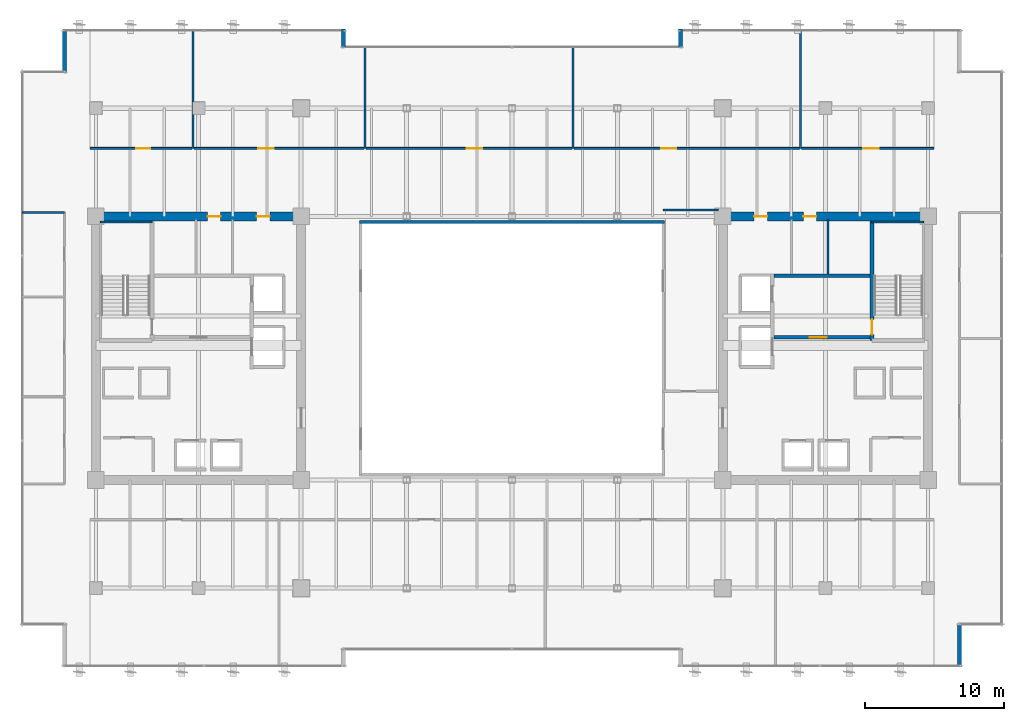
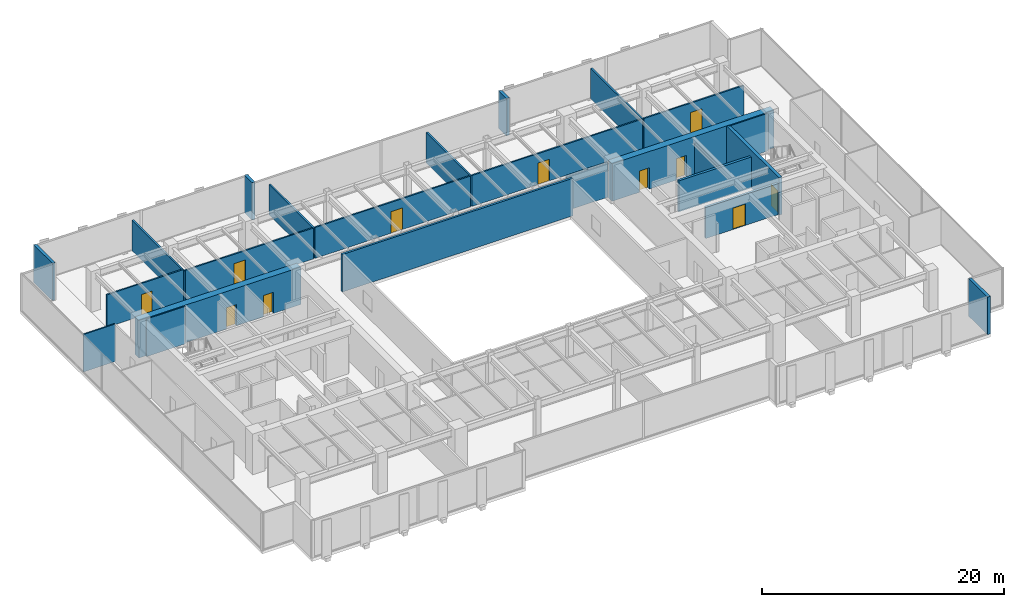
# One storey, part 27 of 34: 24 walls, 11 doors, 11 openings.
"""IFC4 building model written with IfcOpenShell, lengths in metres."""

from ifc_helpers import new_model, si_unit, direction, frame, frame_2d, origin, place, context, subcontext, project, spatial, rectangle, extrude, source, transform, mapped, material, layer, layer_set, type_object, type_shapes, element, fill, save


model = new_model("IFC4")

# Units and contexts
model_context = context("Model", 3, precision=1e-05, world=origin(), true_north=direction((0.0, 1.0)))
body_context = subcontext(model_context, "Body", "Model", "MODEL_VIEW")
ifc_project = project(units=[si_unit("LENGTHUNIT", "METRE"), si_unit("AREAUNIT", "SQUARE_METRE"), si_unit("VOLUMEUNIT", "CUBIC_METRE"), si_unit("PLANEANGLEUNIT", "RADIAN"), si_unit("MASSUNIT", "GRAM", prefix="KILO")], contexts=[model_context])

# Site, building, storey
site_placement = place(None, origin())
site = spatial("IfcSite", under=ifc_project, at=site_placement, CompositionType="ELEMENT")
building_placement = place(site_placement, origin())
building = spatial("IfcBuilding", under=site, at=building_placement, Name="Haelvirn Gate Laboratories", CompositionType="ELEMENT")
storey_placement = place(building_placement, frame((0.0, 0.0, 109.199951171875)))
storey = spatial("IfcBuildingStorey", under=building, at=storey_placement, Name="L26", CompositionType="ELEMENT", Elevation=109.199951171875)

# Walls
ifc_material_1 = material(Name="Thermally-broken bronze aluminium rainscreen & mineral wool", Category="aluminium")
ifc_layer_1 = layer(ifc_material_1, 0.280029296875, Name="EW-TERR-280")
ifc_layer_set_1 = layer_set([ifc_layer_1], Name="Thermally-broken bronze aluminium rainscreen & mineral wool")
wall_type_1 = type_object("IfcWallType", Name="EW-TERR-280", PredefinedType="STANDARD", material=ifc_layer_set_1)
wall_1_placement = place(storey_placement, frame((69.659912109375, 1.300048828125, 0.0), z_axis=(0.0, 0.0, 1.0), x_axis=(0.0, 1.0, 0.0)))
element("IfcWall", 1, at=wall_1_placement, inside=storey, type_object=wall_type_1, Name="L26 Atrium Recess Bronze Return Wall 05", PredefinedType="STANDARD", context=body_context, shape_type="SweptSolid", body=[
    extrude(rectangle(XDim=3.087890625, YDim=0.280029296875, at=frame_2d((1.5439453125, 0.0))), origin(), (0.0, 0.0, 1.0), 3.7900390625),
])
for number, where, z_axis, x_axis, name in (
    (2, (49.5400390625, 47.300048828125, 0.0), (0.0, 0.0, 1.0), (0.0, -1.0, 0.0), "L26 Atrium Recess Bronze Return Wall 11"),
    (3, (25.260009765625, 46.011962890625, 0.0), (0.0, 0.0, 1.0), (0.0, 1.0, 0.0), "L26 Atrium Recess Bronze Return Wall 13"),
):
    element("IfcWall", number, at=place(storey_placement, frame(where, z_axis=z_axis, x_axis=x_axis)), inside=storey, type_object=wall_type_1, Name=name, PredefinedType="STANDARD", context=body_context, shape_type="SweptSolid", body=[
        extrude(rectangle(XDim=1.2880859375, YDim=0.280029296875, at=frame_2d((0.64404296875, 0.0))), origin(), (0.0, 0.0, 1.0), 3.7900390625),
    ])
wall_2_placement = place(storey_placement, frame((5.139892578125, 47.300048828125, 0.0), z_axis=(0.0, 0.0, 1.0), x_axis=(0.0, -1.0, 0.0)))
element("IfcWall", 4, at=wall_2_placement, inside=storey, type_object=wall_type_1, Name="L26 Atrium Recess Bronze Return Wall 15", PredefinedType="STANDARD", context=body_context, shape_type="SweptSolid", body=[
    extrude(rectangle(XDim=3.088134765625, YDim=0.280029296875, at=frame_2d((1.5439453125, 0.0))), origin(), (0.0, 0.0, 1.0), 3.7900390625),
])
ifc_material_2 = material(Name="Double-layer acoustic gypsum laboratory partition", Category="gypsum")
ifc_layer_2 = layer(ifc_material_2, 0.159912109375, Name="IW-ACOUST-160")
ifc_layer_set_2 = layer_set([ifc_layer_2], Name="Double-layer acoustic gypsum laboratory partition")
wall_type_2 = type_object("IfcWallType", Name="IW-ACOUST-160", PredefinedType="PARTITIONING", material=ifc_layer_set_2)
wall_3_placement = place(storey_placement, frame((14.39990234375, 38.705078125, 0.0), z_axis=(0.0, 0.0, 1.0), x_axis=(0.0, 1.0, 0.0)))
element("IfcWall", 5, at=wall_3_placement, inside=storey, type_object=wall_type_2, Name="L26 Interior Wall IW-L26-NDIV-01", PredefinedType="PARTITIONING", context=body_context, shape_type="SweptSolid", body=[
    extrude(rectangle(XDim=8.48486328125, YDim=0.159912109375, at=frame_2d((4.242431640625, 0.0))), origin(), (0.0, 0.0, 1.0), 3.074951171875),
])
for number, where, z_axis, x_axis, name in (
    (6, (26.800048828125, 38.705078125, 0.0), (0.0, 0.0, 1.0), (0.0, 1.0, 0.0), "L26 Interior Wall IW-L26-NDIV-02"),
    (7, (41.800048828125, 38.705078125, 0.0), (0.0, 0.0, 1.0), (0.0, 1.0, 0.0), "L26 Interior Wall IW-L26-NDIV-03"),
):
    element("IfcWall", number, at=place(storey_placement, frame(where, z_axis=z_axis, x_axis=x_axis)), inside=storey, type_object=wall_type_2, Name=name, PredefinedType="PARTITIONING", context=body_context, shape_type="SweptSolid", body=[
        extrude(rectangle(XDim=7.284912109375, YDim=0.159912109375, at=frame_2d((3.642578125, 0.0))), origin(), (0.0, 0.0, 1.0), 3.074951171875),
    ])
wall_4_placement = place(storey_placement, frame((58.199951171875, 38.705078125, 0.0), z_axis=(0.0, 0.0, 1.0), x_axis=(0.0, 1.0, 0.0)))
element("IfcWall", 8, at=wall_4_placement, inside=storey, type_object=wall_type_2, Name="L26 Interior Wall IW-L26-NDIV-04", PredefinedType="PARTITIONING", context=body_context, shape_type="SweptSolid", body=[
    extrude(rectangle(XDim=8.48486328125, YDim=0.159912109375, at=frame_2d((4.242431640625, 0.0))), origin(), (0.0, 0.0, 1.0), 3.074951171875),
])
ifc_material_3 = material(Name="Fire-rated acoustic gypsum board partition", Category="gypsum")
ifc_layer_3 = layer(ifc_material_3, 0.175048828125, Name="IW-ACOUST-180")
ifc_layer_set_3 = layer_set([ifc_layer_3], Name="Fire-rated acoustic gypsum board partition")
wall_type_3 = type_object("IfcWallType", Name="IW-ACOUST-180", PredefinedType="PARTITIONING", material=ifc_layer_set_3)
wall_5_placement = place(storey_placement, frame((48.300048828125, 34.260009765625, 0.0), z_axis=(0.0, 0.0, 1.0), x_axis=(1.0, 0.0, 0.0)))
element("IfcWall", 9, at=wall_5_placement, inside=storey, type_object=wall_type_3, Name="L26 Interior Wall IW-L26-ASEM-N", PredefinedType="PARTITIONING", context=body_context, shape_type="SweptSolid", body=[
    extrude(rectangle(XDim=3.974853515625, YDim=0.175048828125, at=frame_2d((1.9873046875, 0.0))), origin(), (0.0, 0.0, 1.0), 3.47509765625),
])
ifc_material_4 = material(Name="Tempered fire-rated borosilicate glass & anodised aluminium", Category="aluminium")
ifc_layer_4 = layer(ifc_material_4, 0.195068359375, Name="IW-GLAZ-200")
ifc_layer_set_4 = layer_set([ifc_layer_4], Name="Tempered fire-rated borosilicate glass & anodised aluminium")
wall_type_4 = type_object("IfcWallType", Name="IW-GLAZ-200", PredefinedType="SOLIDWALL", material=ifc_layer_set_4)
wall_6_placement = place(storey_placement, frame((26.39990234375, 33.39990234375, 0.0), z_axis=(0.0, 0.0, 1.0), x_axis=(1.0, 0.0, 0.0)))
element("IfcWall", 10, at=wall_6_placement, inside=storey, type_object=wall_type_4, Name="L26 Interior Wall IW-L26-ATRIUM-N", PredefinedType="SOLIDWALL", context=body_context, shape_type="SweptSolid", body=[
    extrude(rectangle(XDim=22.0, YDim=0.195068359375, at=frame_2d((11.0, 0.0))), origin(), (0.0, 0.0, 1.0), 3.7900390625),
])
ifc_material_5 = material(Name="Lightweight acoustic gypsum board partition", Category="gypsum")
ifc_layer_5 = layer(ifc_material_5, 0.1201171875, Name="IW-PART-120")
ifc_layer_set_5 = layer_set([ifc_layer_5], Name="Lightweight acoustic gypsum board partition")
wall_type_5 = type_object("IfcWallType", Name="IW-PART-120", PredefinedType="PARTITIONING", material=ifc_layer_set_5)
wall_7_placement = place(storey_placement, frame((2.110107421875, 34.0849609375, 0.0), z_axis=(0.0, 0.0, 1.0), x_axis=(1.0, 0.0, 0.0)))
element("IfcWall", 11, at=wall_7_placement, inside=storey, type_object=wall_type_5, Name="L26 Interior Wall IW-L26-WCAP-N", PredefinedType="PARTITIONING", context=body_context, shape_type="SweptSolid", body=[
    extrude(rectangle(XDim=3.019775390625, YDim=0.1201171875, at=frame_2d((1.509765625, 0.0))), origin(), (0.0, 0.0, 1.0), 3.7900390625),
])

# Wall, opening, door
ifc_material_6 = material(Name="Acoustic mineral-wool gypsum board partition", Category="gypsum")
ifc_layer_6 = layer(ifc_material_6, 0.139892578125, Name="IW-PART-140")
ifc_layer_set_6 = layer_set([ifc_layer_6], Name="Acoustic mineral-wool gypsum board partition")
wall_type_6 = type_object("IfcWallType", Name="IW-PART-140", PredefinedType="PARTITIONING", material=ifc_layer_set_6)
wall_8_placement = place(storey_placement, frame((6.97998046875, 38.705078125, 0.0), z_axis=(0.0, 0.0, 1.0), x_axis=(1.0, 0.0, 0.0)))
wall_8 = element("IfcWall", 12, at=wall_8_placement, inside=storey, type_object=wall_type_6, Name="L26 Interior Wall IW-L26-NCORR-01", PredefinedType="PARTITIONING", context=body_context, shape_type="SweptSolid", body=[
    extrude(rectangle(XDim=7.340087890625, YDim=0.139892578125, at=frame_2d((3.669921875, 0.0))), origin(), (0.0, 0.0, 1.0), 3.275146484375),
])
opening_1_placement = place(wall_8_placement, frame((3.339111328125, 0.0, 0.0)))
opening_1 = element("IfcOpeningElement", 13, at=opening_1_placement, cuts=wall_8, Name="Opening D2", PredefinedType="OPENING", context=body_context, shape_type="SweptSolid", body=[
    extrude(rectangle(XDim=1.0, YDim=2.14990234375, at=frame_2d((0.5, 1.074951171875))), frame((0.0, 0.080078125, 0.0), z_axis=(0.0, -1.0, 0.0), x_axis=(1.0, 0.0, 0.0)), (0.0, 0.0, 1.0), 0.159912109375),
])
ifc_material_7 = material(Name="Acoustic solid-core timber suite door", Category="wood")
door_type_1 = type_object("IfcDoorType", Name="DR-INT-1000", OperationType="NOTDEFINED", PredefinedType="DOOR", material=ifc_material_7)
shared_shape_1 = source(origin(), body_context, "Body", "SweptSolid", [
    extrude(rectangle(XDim=1.0, YDim=2.14990234375, at=frame_2d((0.5, 1.074951171875))), frame((0.0, 0.02490234375, 0.0), z_axis=(0.0, -1.0, 0.0), x_axis=(1.0, 0.0, 0.0)), (0.0, 0.0, 1.0), 0.050048828125),
])
type_shapes(door_type_1, [shared_shape_1])
door_1_placement = place(opening_1_placement, origin())
door_1 = element("IfcDoor", 14, at=door_1_placement, inside=storey, type_object=door_type_1, Name="L26 Occupational Biosafety Clinic Door N1", OperationType="SINGLE_SWING_RIGHT", OverallHeight=2.14990234375, OverallWidth=1.0, PredefinedType="DOOR", context=body_context, shape_type="MappedRepresentation", body=[
    mapped(shared_shape_1, transform((0.0, 0.0, 0.0), scale=1.0)),
])
fill(opening_1, door_1)

wall_9_placement = place(storey_placement, frame((14.47998046875, 38.705078125, 0.0), z_axis=(0.0, 0.0, 1.0), x_axis=(1.0, 0.0, 0.0)))
wall_9 = element("IfcWall", 15, at=wall_9_placement, inside=storey, type_object=wall_type_6, Name="L26 Interior Wall IW-L26-NCORR-02", PredefinedType="PARTITIONING", context=body_context, shape_type="SweptSolid", body=[
    extrude(rectangle(XDim=12.239990234375, YDim=0.139892578125, at=frame_2d((6.1201171875, 0.0))), origin(), (0.0, 0.0, 1.0), 3.125),
])
opening_2_placement = place(wall_9_placement, frame((4.63037109375, 0.0, 0.0)))
opening_2 = element("IfcOpeningElement", 16, at=opening_2_placement, cuts=wall_9, Name="Opening D1", PredefinedType="OPENING", context=body_context, shape_type="SweptSolid", body=[
    extrude(rectangle(XDim=1.10009765625, YDim=2.179931640625, at=frame_2d((0.550048828125, 1.08984375))), frame((0.0, 0.080078125, 0.0), z_axis=(0.0, -1.0, 0.0), x_axis=(1.0, 0.0, 0.0)), (0.0, 0.0, 1.0), 0.159912109375),
])
ifc_material_8 = material(Name="Vision-panel acoustic solid-core timber lab door", Category="wood")
door_type_2 = type_object("IfcDoorType", Name="DR-LAB-1100", OperationType="NOTDEFINED", PredefinedType="DOOR", material=ifc_material_8)
shared_shape_2 = source(origin(), body_context, "Body", "SweptSolid", [
    extrude(rectangle(XDim=1.10009765625, YDim=2.179931640625, at=frame_2d((0.550048828125, 1.08984375))), frame((0.0, 0.02490234375, 0.0), z_axis=(0.0, -1.0, 0.0), x_axis=(1.0, 0.0, 0.0)), (0.0, 0.0, 1.0), 0.050048828125),
])
type_shapes(door_type_2, [shared_shape_2])
door_2_placement = place(opening_2_placement, origin())
door_2 = element("IfcDoor", 17, at=door_2_placement, inside=storey, type_object=door_type_2, Name="L26 Laser-Safety Consult Room Door N2", OperationType="SINGLE_SWING_LEFT", OverallHeight=2.179931640625, OverallWidth=1.10009765625, PredefinedType="DOOR", context=body_context, shape_type="MappedRepresentation", body=[
    mapped(shared_shape_2, transform((0.0, 0.0, 0.0), scale=1.0)),
])
fill(opening_2, door_2)

wall_10_placement = place(storey_placement, frame((26.8798828125, 38.705078125, 0.0), z_axis=(0.0, 0.0, 1.0), x_axis=(1.0, 0.0, 0.0)))
wall_10 = element("IfcWall", 18, at=wall_10_placement, inside=storey, type_object=wall_type_6, Name="L26 Interior Wall IW-L26-NCORR-03", PredefinedType="PARTITIONING", context=body_context, shape_type="SweptSolid", body=[
    extrude(rectangle(XDim=14.840087890625, YDim=0.139892578125, at=frame_2d((7.419921875, 0.0))), origin(), (0.0, 0.0, 1.0), 3.125),
])
opening_3_placement = place(wall_10_placement, frame((7.26123046875, 0.0, 0.0)))
opening_3 = element("IfcOpeningElement", 19, at=opening_3_placement, cuts=wall_10, Name="Opening D1", PredefinedType="OPENING", context=body_context, shape_type="SweptSolid", body=[
    extrude(rectangle(XDim=1.10009765625, YDim=2.179931640625, at=frame_2d((0.550048828125, 1.08984375))), frame((0.0, 0.080078125, 0.0), z_axis=(0.0, -1.0, 0.0), x_axis=(1.0, 0.0, 0.0)), (0.0, 0.0, 1.0), 0.159912109375),
])
door_3_placement = place(opening_3_placement, origin())
door_3 = element("IfcDoor", 20, at=door_3_placement, inside=storey, type_object=door_type_2, Name="L26 Protocol Briefing Training Room Door N3", OperationType="SINGLE_SWING_RIGHT", OverallHeight=2.179931640625, OverallWidth=1.10009765625, PredefinedType="DOOR", context=body_context, shape_type="MappedRepresentation", body=[
    mapped(shared_shape_2, transform((0.0, 0.0, 0.0), scale=1.0)),
])
fill(opening_3, door_3)

wall_11_placement = place(storey_placement, frame((41.8798828125, 38.705078125, 0.0), z_axis=(0.0, 0.0, 1.0), x_axis=(1.0, 0.0, 0.0)))
wall_11 = element("IfcWall", 21, at=wall_11_placement, inside=storey, type_object=wall_type_6, Name="L26 Interior Wall IW-L26-NCORR-04", PredefinedType="PARTITIONING", context=body_context, shape_type="SweptSolid", body=[
    extrude(rectangle(XDim=16.240234375, YDim=0.139892578125, at=frame_2d((8.1201171875, 0.0))), origin(), (0.0, 0.0, 1.0), 3.125),
])
opening_4_placement = place(wall_11_placement, frame((6.2705078125, 0.0, 0.0)))
opening_4 = element("IfcOpeningElement", 22, at=opening_4_placement, cuts=wall_11, Name="Opening D1", PredefinedType="OPENING", context=body_context, shape_type="SweptSolid", body=[
    extrude(rectangle(XDim=1.10009765625, YDim=2.179931640625, at=frame_2d((0.550048828125, 1.08984375))), frame((0.0, 0.080078125, 0.0), z_axis=(0.0, -1.0, 0.0), x_axis=(1.0, 0.0, 0.0)), (0.0, 0.0, 1.0), 0.159912109375),
])
door_4_placement = place(opening_4_placement, origin())
door_4 = element("IfcDoor", 23, at=door_4_placement, inside=storey, type_object=door_type_2, Name="L26 Peer-Review Seminar Room Door N4", OperationType="SINGLE_SWING_LEFT", OverallHeight=2.179931640625, OverallWidth=1.10009765625, PredefinedType="DOOR", context=body_context, shape_type="MappedRepresentation", body=[
    mapped(shared_shape_2, transform((0.0, 0.0, 0.0), scale=1.0)),
])
fill(opening_4, door_4)

wall_12_placement = place(storey_placement, frame((58.280029296875, 38.705078125, 0.0), z_axis=(0.0, 0.0, 1.0), x_axis=(1.0, 0.0, 0.0)))
wall_12 = element("IfcWall", 24, at=wall_12_placement, inside=storey, type_object=wall_type_6, Name="L26 Interior Wall IW-L26-NCORR-05", PredefinedType="PARTITIONING", context=body_context, shape_type="SweptSolid", body=[
    extrude(rectangle(XDim=9.5400390625, YDim=0.139892578125, at=frame_2d((4.77001953125, 0.0))), origin(), (0.0, 0.0, 1.0), 3.125),
])
opening_5_placement = place(wall_12_placement, frame((4.4521484375, 0.0, 0.0)))
opening_5 = element("IfcOpeningElement", 25, at=opening_5_placement, cuts=wall_12, Name="Opening D1", PredefinedType="OPENING", context=body_context, shape_type="SweptSolid", body=[
    extrude(rectangle(XDim=1.10009765625, YDim=2.179931640625, at=frame_2d((0.550048828125, 1.08984375))), frame((0.0, 0.080078125, 0.0), z_axis=(0.0, -1.0, 0.0), x_axis=(1.0, 0.0, 0.0)), (0.0, 0.0, 1.0), 0.159912109375),
])
door_5_placement = place(opening_5_placement, origin())
door_5 = element("IfcDoor", 26, at=door_5_placement, inside=storey, type_object=door_type_2, Name="L26 Researcher Break Pantry Door N5", OperationType="SINGLE_SWING_RIGHT", OverallHeight=2.179931640625, OverallWidth=1.10009765625, PredefinedType="DOOR", context=body_context, shape_type="MappedRepresentation", body=[
    mapped(shared_shape_2, transform((0.0, 0.0, 0.0), scale=1.0)),
])
fill(opening_5, door_5)

# Wall
ifc_material_9 = material(Name="Cement-board restroom plumbing chase wall", Category="gypsum")
ifc_layer_7 = layer(ifc_material_9, 0.155029296875, Name="IW-PLUMB-160")
ifc_layer_set_7 = layer_set([ifc_layer_7], Name="Cement-board restroom plumbing chase wall")
wall_type_7 = type_object("IfcWallType", Name="IW-PLUMB-160", PredefinedType="PLUMBINGWALL", material=ifc_layer_set_7)
wall_13_placement = place(storey_placement, frame((60.18994140625, 29.64990234375, 0.0), z_axis=(0.0, 0.0, 1.0), x_axis=(0.0, 1.0, 0.0)))
element("IfcWall", 27, at=wall_13_placement, inside=storey, type_object=wall_type_7, Name="L26 Interior Wall IW-L26-E-CDIV-0", PredefinedType="PLUMBINGWALL", context=body_context, shape_type="SweptSolid", body=[
    extrude(rectangle(XDim=3.93017578125, YDim=0.155029296875, at=frame_2d((1.965087890625, 0.0))), origin(), (0.0, 0.0, 1.0), 3.125),
])

# Wall, opening, door
ifc_material_10 = material(Name="Concrete C40/50", Category="concrete")
ifc_layer_8 = layer(ifc_material_10, 0.239990234375, Name="IW-SHAFT-240")
ifc_layer_set_8 = layer_set([ifc_layer_8], Name="Concrete C40/50")
wall_type_8 = type_object("IfcWallType", Name="IW-SHAFT-240", PredefinedType="SOLIDWALL", material=ifc_layer_set_8)
wall_14_placement = place(storey_placement, frame((56.280029296875, 25.080078125, 0.0), z_axis=(0.0, 0.0, 1.0), x_axis=(1.0, 0.0, 0.0)))
wall_14 = element("IfcWall", 28, at=wall_14_placement, inside=storey, type_object=wall_type_8, Name="L26 Interior Wall IW-L26-E-FF-S", PredefinedType="SOLIDWALL", context=body_context, shape_type="SweptSolid", body=[
    extrude(rectangle(XDim=6.919921875, YDim=0.239990234375, at=frame_2d((3.4599609375, 0.0))), origin(), (0.0, 0.0, 1.0), 3.125),
])
opening_6_placement = place(wall_14_placement, frame((2.60009765625, 0.0, 0.0)))
opening_6 = element("IfcOpeningElement", 29, at=opening_6_placement, cuts=wall_14, Name="Opening FD2", PredefinedType="OPENING", context=body_context, shape_type="SweptSolid", body=[
    extrude(rectangle(XDim=1.199951171875, YDim=2.159912109375, at=frame_2d((0.60009765625, 1.080078125))), frame((0.0, 0.1298828125, 0.0), z_axis=(0.0, -1.0, 0.0), x_axis=(1.0, 0.0, 0.0)), (0.0, 0.0, 1.0), 0.260009765625),
])
ifc_material_11 = material(Name="Fire-rated steel SM355 compartment door", Category="steel")
door_type_3 = type_object("IfcDoorType", Name="DR-FD-1200", OperationType="NOTDEFINED", PredefinedType="DOOR", material=ifc_material_11)
shared_shape_3 = source(origin(), body_context, "Body", "SweptSolid", [
    extrude(rectangle(XDim=1.199951171875, YDim=2.159912109375, at=frame_2d((0.60009765625, 1.080078125))), frame((0.0, 0.02490234375, 0.0), z_axis=(0.0, -1.0, 0.0), x_axis=(1.0, 0.0, 0.0)), (0.0, 0.0, 1.0), 0.050048828125),
])
type_shapes(door_type_3, [shared_shape_3])
door_6_placement = place(opening_6_placement, origin())
door_6 = element("IfcDoor", 30, at=door_6_placement, inside=storey, type_object=door_type_3, Name="L26 East Firefighting Lobby Door", OperationType="SINGLE_SWING_LEFT", OverallHeight=2.159912109375, OverallWidth=1.199951171875, PredefinedType="DOOR", context=body_context, shape_type="MappedRepresentation", body=[
    mapped(shared_shape_3, transform((0.0, 0.0, 0.0), scale=1.0)),
])
fill(opening_6, door_6)

# Wall
wall_15_placement = place(storey_placement, frame((56.280029296875, 29.52001953125, 0.0), z_axis=(0.0, 0.0, 1.0), x_axis=(1.0, 0.0, 0.0)))
element("IfcWall", 31, at=wall_15_placement, inside=storey, type_object=wall_type_8, Name="L26 Interior Wall IW-L26-E-FF-N", PredefinedType="SOLIDWALL", context=body_context, shape_type="SweptSolid", body=[
    extrude(rectangle(XDim=6.919921875, YDim=0.239990234375, at=frame_2d((3.4599609375, 0.0))), origin(), (0.0, 0.0, 1.0), 3.125),
])

# Wall, openings, doors
ifc_material_12 = material(Name="Concrete C60/75", Category="concrete")
ifc_layer_9 = layer(ifc_material_12, 0.64990234375, Name="SW-CORE-650")
ifc_layer_set_9 = layer_set([ifc_layer_9], Name="Concrete C60/75")
wall_type_9 = type_object("IfcWallType", Name="SW-CORE-650", PredefinedType="SHEAR", material=ifc_layer_set_9)
wall_16_placement = place(storey_placement, frame((7.074951171875, 33.800048828125, 0.0), z_axis=(0.0, 0.0, 1.0), x_axis=(1.0, 0.0, 0.0)))
wall_16 = element("IfcWall", 32, at=wall_16_placement, inside=storey, type_object=wall_type_9, Name="L26 W Core Shear Wall N", PredefinedType="SHEAR", context=body_context, shape_type="SweptSolid", body=[
    extrude(rectangle(XDim=15.449951171875, YDim=0.64990234375, at=frame_2d((7.72509765625, 0.0))), origin(), (0.0, 0.0, 1.0), 3.7900390625),
])
opening_7_placement = place(wall_16_placement, frame((8.375, 0.0, 0.0)))
opening_7 = element("IfcOpeningElement", 33, at=opening_7_placement, cuts=wall_16, Name="Opening FD4", PredefinedType="OPENING", context=body_context, shape_type="SweptSolid", body=[
    extrude(rectangle(XDim=0.949951171875, YDim=2.14990234375, at=frame_2d((0.47509765625, 1.074951171875))), frame((0.0, 0.3349609375, 0.0), z_axis=(0.0, -1.0, 0.0), x_axis=(1.0, 0.0, 0.0)), (0.0, 0.0, 1.0), 0.669921875),
])
opening_8_placement = place(wall_16_placement, frame((11.9150390625, 0.0, 0.0)))
opening_8 = element("IfcOpeningElement", 34, at=opening_8_placement, cuts=wall_16, Name="Opening FD4", PredefinedType="OPENING", context=body_context, shape_type="SweptSolid", body=[
    extrude(rectangle(XDim=0.949951171875, YDim=2.14990234375, at=frame_2d((0.47509765625, 1.074951171875))), frame((0.0, 0.3349609375, 0.0), z_axis=(0.0, -1.0, 0.0), x_axis=(1.0, 0.0, 0.0)), (0.0, 0.0, 1.0), 0.669921875),
])
ifc_material_13 = material(Name="Fire-rated steel SM355 core service door", Category="steel")
door_type_4 = type_object("IfcDoorType", Name="DR-FD-950", OperationType="NOTDEFINED", PredefinedType="DOOR", material=ifc_material_13)
shared_shape_4 = source(origin(), body_context, "Body", "SweptSolid", [
    extrude(rectangle(XDim=0.949951171875, YDim=2.14990234375, at=frame_2d((0.47509765625, 1.074951171875))), frame((0.0, 0.02490234375, 0.0), z_axis=(0.0, -1.0, 0.0), x_axis=(1.0, 0.0, 0.0)), (0.0, 0.0, 1.0), 0.050048828125),
])
type_shapes(door_type_4, [shared_shape_4])
door_7_placement = place(opening_7_placement, origin())
door_7 = element("IfcDoor", 35, at=door_7_placement, inside=storey, type_object=door_type_4, Name="L26 Accessible Restroom Fire Door", OperationType="SINGLE_SWING_LEFT", OverallHeight=2.14990234375, OverallWidth=0.949951171875, PredefinedType="DOOR", context=body_context, shape_type="MappedRepresentation", body=[
    mapped(shared_shape_4, transform((0.0, 0.0, 0.0), scale=1.0)),
])
fill(opening_7, door_7)
door_8_placement = place(opening_8_placement, origin())
door_8 = element("IfcDoor", 36, at=door_8_placement, inside=storey, type_object=door_type_4, Name="L26 Staff Restroom Fire Door", OperationType="SINGLE_SWING_RIGHT", OverallHeight=2.14990234375, OverallWidth=0.949951171875, PredefinedType="DOOR", context=body_context, shape_type="MappedRepresentation", body=[
    mapped(shared_shape_4, transform((0.0, 0.0, 0.0), scale=1.0)),
])
fill(opening_8, door_8)

wall_17_placement = place(storey_placement, frame((52.27490234375, 33.800048828125, 0.0), z_axis=(0.0, 0.0, 1.0), x_axis=(1.0, 0.0, 0.0)))
wall_17 = element("IfcWall", 37, at=wall_17_placement, inside=storey, type_object=wall_type_9, Name="L26 E Core Shear Wall N", PredefinedType="SHEAR", context=body_context, shape_type="SweptSolid", body=[
    extrude(rectangle(XDim=15.4501953125, YDim=0.64990234375, at=frame_2d((7.72509765625, 0.0))), origin(), (0.0, 0.0, 1.0), 3.7900390625),
])
opening_9_placement = place(wall_17_placement, frame((6.125, 0.0, 0.0)))
opening_9 = element("IfcOpeningElement", 38, at=opening_9_placement, cuts=wall_17, Name="Opening FD4", PredefinedType="OPENING", context=body_context, shape_type="SweptSolid", body=[
    extrude(rectangle(XDim=0.949951171875, YDim=2.14990234375, at=frame_2d((0.47509765625, 1.074951171875))), frame((0.0, 0.3349609375, 0.0), z_axis=(0.0, -1.0, 0.0), x_axis=(1.0, 0.0, 0.0)), (0.0, 0.0, 1.0), 0.669921875),
])
opening_10_placement = place(wall_17_placement, frame((2.5849609375, 0.0, 0.0)))
opening_10 = element("IfcOpeningElement", 39, at=opening_10_placement, cuts=wall_17, Name="Opening FD4", PredefinedType="OPENING", context=body_context, shape_type="SweptSolid", body=[
    extrude(rectangle(XDim=0.949951171875, YDim=2.14990234375, at=frame_2d((0.47509765625, 1.074951171875))), frame((0.0, 0.3349609375, 0.0), z_axis=(0.0, -1.0, 0.0), x_axis=(1.0, 0.0, 0.0)), (0.0, 0.0, 1.0), 0.669921875),
])
door_9_placement = place(opening_9_placement, origin())
door_9 = element("IfcDoor", 40, at=door_9_placement, inside=storey, type_object=door_type_4, Name="L26 Accessible Restroom Fire Door", OperationType="SINGLE_SWING_LEFT", OverallHeight=2.14990234375, OverallWidth=0.949951171875, PredefinedType="DOOR", context=body_context, shape_type="MappedRepresentation", body=[
    mapped(shared_shape_4, transform((0.0, 0.0, 0.0), scale=1.0)),
])
fill(opening_9, door_9)
door_10_placement = place(opening_10_placement, origin())
door_10 = element("IfcDoor", 41, at=door_10_placement, inside=storey, type_object=door_type_4, Name="L26 Staff Restroom Fire Door", OperationType="SINGLE_SWING_RIGHT", OverallHeight=2.14990234375, OverallWidth=0.949951171875, PredefinedType="DOOR", context=body_context, shape_type="MappedRepresentation", body=[
    mapped(shared_shape_4, transform((0.0, 0.0, 0.0), scale=1.0)),
])
fill(opening_10, door_10)

# Walls
ifc_material_14 = material(Name="Concrete C50/60", Category="concrete")
ifc_layer_10 = layer(ifc_material_14, 0.1201171875, Name="SW-LINER-120")
ifc_layer_set_10 = layer_set([ifc_layer_10], Name="Concrete C50/60")
wall_type_10 = type_object("IfcWallType", Name="SW-LINER-120", PredefinedType="SOLIDWALL", material=ifc_layer_set_10)
for number, where, z_axis, x_axis, name in (
    (42, (7.72998046875, 33.39990234375, 0.0), (0.0, 0.0, 1.0), (1.0, 0.0, 0.0), "L26 W Core Stair Shaft Liner Wall N"),
    (43, (63.35009765625, 33.39990234375, 0.0), (0.0, 0.0, 1.0), (1.0, 0.0, 0.0), "L26 E Core Stair Shaft Liner Wall N"),
):
    element("IfcWall", number, at=place(storey_placement, frame(where, z_axis=z_axis, x_axis=x_axis)), inside=storey, type_object=wall_type_10, Name=name, PredefinedType="SOLIDWALL", context=body_context, shape_type="SweptSolid", body=[
        extrude(rectangle(XDim=3.719970703125, YDim=0.1201171875, at=frame_2d((1.85986328125, 0.0))), origin(), (0.0, 0.0, 1.0), 3.7900390625),
    ])

# Wall, opening, door
ifc_layer_11 = layer(ifc_material_14, 0.300048828125, Name="SW-STAIR-300")
ifc_layer_set_11 = layer_set([ifc_layer_11], Name="Concrete C50/60")
wall_type_11 = type_object("IfcWallType", Name="SW-STAIR-300", PredefinedType="SHEAR", material=ifc_layer_set_11)
wall_18_placement = place(storey_placement, frame((63.35009765625, 24.85009765625, 0.0), z_axis=(0.0, 0.0, 1.0), x_axis=(0.0, 1.0, 0.0)))
wall_18 = element("IfcWall", 44, at=wall_18_placement, inside=storey, type_object=wall_type_11, Name="L26 E Core Stair Shaft Structural Wall IN", PredefinedType="SHEAR", context=body_context, shape_type="SweptSolid", body=[
    extrude(rectangle(XDim=8.6298828125, YDim=0.300048828125, at=frame_2d((4.31494140625, 0.0))), origin(), (0.0, 0.0, 1.0), 3.7900390625),
])
opening_11_placement = place(wall_18_placement, frame((0.419921875, 0.0, 0.0)))
opening_11 = element("IfcOpeningElement", 45, at=opening_11_placement, cuts=wall_18, Name="Opening FD3", PredefinedType="OPENING", context=body_context, shape_type="SweptSolid", body=[
    extrude(rectangle(XDim=1.10009765625, YDim=2.14990234375, at=frame_2d((0.550048828125, 1.074951171875))), frame((0.0, 0.16015625, 0.0), z_axis=(0.0, -1.0, 0.0), x_axis=(1.0, 0.0, 0.0)), (0.0, 0.0, 1.0), 0.320068359375),
])
ifc_material_15 = material(Name="Fire-rated steel SM355 escape stair door", Category="steel")
door_type_5 = type_object("IfcDoorType", Name="DR-FD-1100", OperationType="NOTDEFINED", PredefinedType="DOOR", material=ifc_material_15)
shared_shape_5 = source(origin(), body_context, "Body", "SweptSolid", [
    extrude(rectangle(XDim=1.10009765625, YDim=2.14990234375, at=frame_2d((0.550048828125, 1.074951171875))), frame((0.0, 0.02490234375, 0.0), z_axis=(0.0, -1.0, 0.0), x_axis=(1.0, 0.0, 0.0)), (0.0, 0.0, 1.0), 0.050048828125),
])
type_shapes(door_type_5, [shared_shape_5])
door_11_placement = place(opening_11_placement, origin())
door_11 = element("IfcDoor", 46, at=door_11_placement, inside=storey, type_object=door_type_5, Name="L26 Escape Stair ST2 Fire Door", OperationType="SINGLE_SWING_RIGHT", OverallHeight=2.14990234375, OverallWidth=1.10009765625, PredefinedType="DOOR", context=body_context, shape_type="MappedRepresentation", body=[
    mapped(shared_shape_5, transform((0.0, 0.0, 0.0), scale=1.0)),
])
fill(opening_11, door_11)

save(model, "model.ifc")
